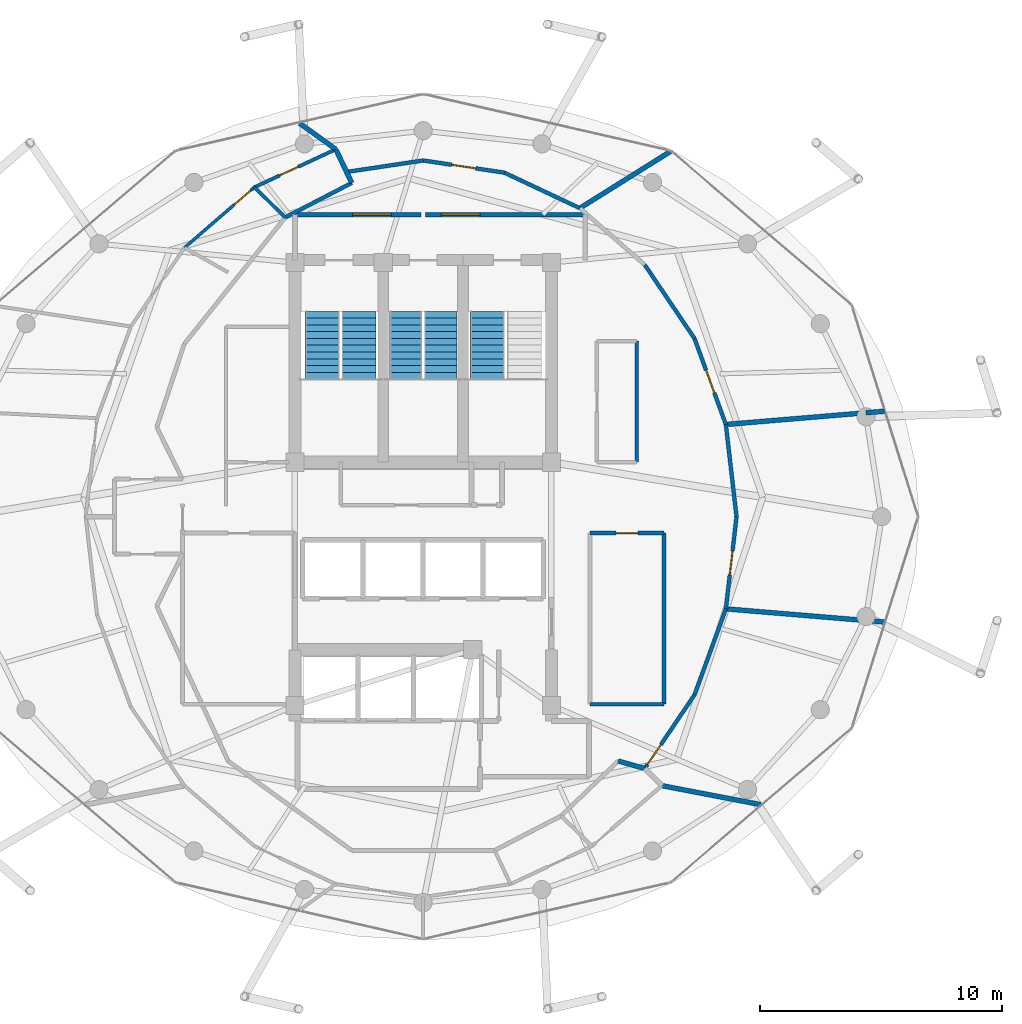
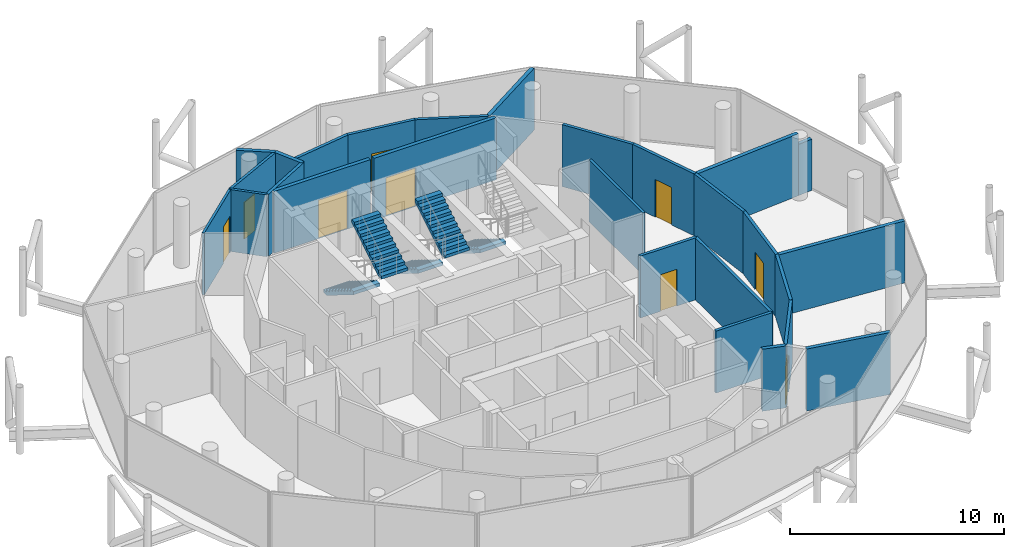
# One storey, part 22 of 24: 27 walls, 9 doors, 5 stair flights, 9 openings, 3 elements without a shape of their own.
"""IFC4 building model written with IfcOpenShell, lengths in metres."""

from ifc_helpers import new_model, si_unit, direction, frame, frame_2d, origin, place, context, subcontext, project, spatial, polyline, rectangle, outline, extrude, material, layer, layer_set, type_object, element, fill, aggregate, save


model = new_model("IFC4")

# Units and contexts
model_context = context("Model", 3, precision=1e-05, world=origin(), true_north=direction((0.0, 1.0)))
body_context = subcontext(model_context, "Body", "Model", "MODEL_VIEW")
ifc_project = project(units=[si_unit("LENGTHUNIT", "METRE"), si_unit("AREAUNIT", "SQUARE_METRE"), si_unit("VOLUMEUNIT", "CUBIC_METRE"), si_unit("PLANEANGLEUNIT", "RADIAN"), si_unit("MASSUNIT", "GRAM", prefix="KILO")], contexts=[model_context])

# Site, building, storey
site_placement = place(None, origin())
site = spatial("IfcSite", under=ifc_project, at=site_placement, CompositionType="ELEMENT")
building_placement = place(site_placement, origin())
building = spatial("IfcBuilding", under=site, at=building_placement, Name="Nuhasar Tower", CompositionType="ELEMENT")
storey_placement = place(building_placement, frame((0.0, 0.0, 282.199951171875)))
storey = spatial("IfcBuildingStorey", under=building, at=storey_placement, Name="L70", CompositionType="ELEMENT", Elevation=282.199951171875)

# Walls
ifc_material_1 = material(Name="Gypsum Board", Category="gypsum")
ifc_layer_1 = layer(ifc_material_1, 0.159912109375)
ifc_layer_set_1 = layer_set([ifc_layer_1], Name="Gypsum Board")
wall_type_1 = type_object("IfcWallType", Name="WL-CORR-160", PredefinedType="PARTITIONING", material=ifc_layer_set_1)
wall_1_placement = place(storey_placement, frame((45.89990234375, 19.050048828125, 0.0), z_axis=(0.0, 0.0, 1.0), x_axis=(1.0, 0.0, 0.0)))
element("IfcWall", 1, at=wall_1_placement, inside=storey, type_object=wall_type_1, Name="L70 Interior Partition RECL-B2-S", PredefinedType="PARTITIONING", context=body_context, shape_type="SweptSolid", body=[
    extrude(rectangle(XDim=3.050048828125, YDim=0.159912109375, at=frame_2d((1.52490234375, 0.0))), origin(), (0.0, 0.0, 1.0), 3.5400390625),
])
wall_2_placement = place(storey_placement, frame((48.949951171875, 19.050048828125, 0.0), z_axis=(0.0, 0.0, 1.0), x_axis=(0.0, 1.0, 0.0)))
element("IfcWall", 2, at=wall_2_placement, inside=storey, type_object=wall_type_1, Name="L70 Interior Partition RECL-B2-E", PredefinedType="PARTITIONING", context=body_context, shape_type="SweptSolid", body=[
    extrude(rectangle(XDim=7.070068359375, YDim=0.159912109375, at=frame_2d((3.53515625, 0.0))), origin(), (0.0, 0.0, 1.0), 3.5400390625),
])

# Wall, opening, door
wall_3_placement = place(storey_placement, frame((48.949951171875, 26.1201171875, 0.0), z_axis=(0.0, 0.0, 1.0), x_axis=(-1.0, 0.0, 0.0)))
wall_3 = element("IfcWall", 3, at=wall_3_placement, inside=storey, type_object=wall_type_1, Name="L70 Interior Partition RECL-B2-N", PredefinedType="PARTITIONING", context=body_context, shape_type="SweptSolid", body=[
    extrude(rectangle(XDim=3.050048828125, YDim=0.159912109375, at=frame_2d((1.52490234375, 0.0))), origin(), (0.0, 0.0, 1.0), 3.5400390625),
])
opening_1_placement = place(wall_3_placement, frame((1.074951171875, 0.0, 0.0)))
opening_1 = element("IfcOpeningElement", 4, at=opening_1_placement, cuts=wall_3, Name="Opening DR-01", PredefinedType="OPENING", context=body_context, shape_type="SweptSolid", body=[
    extrude(rectangle(XDim=0.89990234375, YDim=2.10009765625, at=frame_2d((0.449951171875, 1.050048828125))), frame((0.0, 0.08984375, 0.0), z_axis=(0.0, -1.0, 0.0), x_axis=(1.0, 0.0, 0.0)), (0.0, 0.0, 1.0), 0.179931640625),
])
ifc_material_2 = material(Name="Timber Oak", Category="wood")
door_type_1 = type_object("IfcDoorType", Name="DR-ROOM-900", OperationType="NOTDEFINED", PredefinedType="DOOR", material=ifc_material_2)
door_1_placement = place(opening_1_placement, origin())
door_1 = element("IfcDoor", 5, at=door_1_placement, inside=storey, type_object=door_type_1, Name="L70 Resident Library Door", OperationType="SINGLE_SWING_LEFT", OverallHeight=2.10009765625, OverallWidth=0.89990234375, PredefinedType="DOOR", context=body_context, shape_type="SweptSolid", body=[
    extrude(rectangle(XDim=0.89990234375, YDim=2.10009765625, at=frame_2d((0.449951171875, 1.050048828125))), frame((0.0, 0.02490234375, 0.0), z_axis=(0.0, -1.0, 0.0), x_axis=(1.0, 0.0, 0.0)), (0.0, 0.0, 1.0), 0.050048828125),
])
fill(opening_1, door_1)

wall_4_placement = place(storey_placement, frame((50.215087890625, 19.43994140625, 0.0), z_axis=(0.0, 0.0, 1.0), x_axis=(-0.559500212071, -0.828830207396, 0.0)))
wall_4 = element("IfcWall", 6, at=wall_4_placement, inside=storey, type_object=wall_type_1, Name="L70 Interior Partition CORR-42", PredefinedType="PARTITIONING", context=body_context, shape_type="SweptSolid", body=[
    extrude(rectangle(XDim=3.678466796875, YDim=0.159912109375, at=frame_2d((1.83935546875, 0.0))), origin(), (0.0, 0.0, 1.0), 3.5400390625),
])
opening_2_placement = place(wall_4_placement, frame((2.47900390625, 0.0, 0.0)))
opening_2 = element("IfcOpeningElement", 7, at=opening_2_placement, cuts=wall_4, Name="Opening DU-02", PredefinedType="OPENING", context=body_context, shape_type="SweptSolid", body=[
    extrude(rectangle(XDim=1.0, YDim=2.14990234375, at=frame_2d((0.5, 1.074951171875))), frame((0.0, 0.08984375, 0.0), z_axis=(0.0, -1.0, 0.0), x_axis=(1.0, 0.0, 0.0)), (0.0, 0.0, 1.0), 0.179931640625),
])
door_type_2 = type_object("IfcDoorType", Name="DR-FLAT-FD60-1000", OperationType="NOTDEFINED", PredefinedType="DOOR", material=ifc_material_2)
door_2_placement = place(opening_2_placement, origin())
door_2 = element("IfcDoor", 8, at=door_2_placement, inside=storey, type_object=door_type_2, Name="L70 Summit Sommelier Tasting Pantry Entrance Door", OperationType="SINGLE_SWING_RIGHT", OverallHeight=2.14990234375, OverallWidth=1.0, PredefinedType="DOOR", context=body_context, shape_type="SweptSolid", body=[
    extrude(rectangle(XDim=1.0, YDim=2.14990234375, at=frame_2d((0.5, 1.074951171875))), frame((0.0, 0.02490234375, 0.0), z_axis=(0.0, -1.0, 0.0), x_axis=(1.0, 0.0, 0.0)), (0.0, 0.0, 1.0), 0.050048828125),
])
fill(opening_2, door_2)

# Wall
wall_5_placement = place(storey_placement, frame((50.215087890625, 19.43994140625, 0.0), z_axis=(0.0, 0.0, 1.0), x_axis=(0.342448521092, 0.939536593434, 0.0)))
element("IfcWall", 9, at=wall_5_placement, inside=storey, type_object=wall_type_1, Name="L70 Interior Partition CORR-44", PredefinedType="PARTITIONING", context=body_context, shape_type="SweptSolid", body=[
    extrude(rectangle(XDim=3.778564453125, YDim=0.159912109375, at=frame_2d((1.88916015625, 0.0))), origin(), (0.0, 0.0, 1.0), 3.5400390625),
])

# Wall, opening, door
wall_6_placement = place(storey_placement, frame((51.949951171875, 26.800048828125, 0.0), z_axis=(0.0, 0.0, 1.0), x_axis=(-0.114957513723, -0.993370409283, 0.0)))
wall_6 = element("IfcWall", 10, at=wall_6_placement, inside=storey, type_object=wall_type_1, Name="L70 Interior Partition CORR-46", PredefinedType="PARTITIONING", context=body_context, shape_type="SweptSolid", body=[
    extrude(rectangle(XDim=3.83544921875, YDim=0.159912109375, at=frame_2d((1.917724609375, 0.0))), origin(), (0.0, 0.0, 1.0), 3.5400390625),
])
opening_3_placement = place(wall_6_placement, frame((1.41796875, 0.0, 0.0)))
opening_3 = element("IfcOpeningElement", 11, at=opening_3_placement, cuts=wall_6, Name="Opening DU-02", PredefinedType="OPENING", context=body_context, shape_type="SweptSolid", body=[
    extrude(rectangle(XDim=1.0, YDim=2.14990234375, at=frame_2d((0.5, 1.074951171875))), frame((0.0, 0.08984375, 0.0), z_axis=(0.0, -1.0, 0.0), x_axis=(1.0, 0.0, 0.0)), (0.0, 0.0, 1.0), 0.179931640625),
])
door_3_placement = place(opening_3_placement, origin())
door_3 = element("IfcDoor", 12, at=door_3_placement, inside=storey, type_object=door_type_2, Name="L70 Summit Private Chef Pantry Entrance Door", OperationType="SINGLE_SWING_RIGHT", OverallHeight=2.14990234375, OverallWidth=1.0, PredefinedType="DOOR", context=body_context, shape_type="SweptSolid", body=[
    extrude(rectangle(XDim=1.0, YDim=2.14990234375, at=frame_2d((0.5, 1.074951171875))), frame((0.0, 0.02490234375, 0.0), z_axis=(0.0, -1.0, 0.0), x_axis=(1.0, 0.0, 0.0)), (0.0, 0.0, 1.0), 0.050048828125),
])
fill(opening_3, door_3)

# Wall
wall_7_placement = place(storey_placement, frame((51.949951171875, 26.800048828125, 0.0), z_axis=(0.0, 0.0, 1.0), x_axis=(-0.114957513723, 0.993370409283, 0.0)))
element("IfcWall", 13, at=wall_7_placement, inside=storey, type_object=wall_type_1, Name="L70 Interior Partition CORR-00", PredefinedType="PARTITIONING", context=body_context, shape_type="SweptSolid", body=[
    extrude(rectangle(XDim=3.83544921875, YDim=0.159912109375, at=frame_2d((1.917724609375, 0.0))), origin(), (0.0, 0.0, 1.0), 3.5400390625),
])

# Wall, opening, door
wall_8_placement = place(storey_placement, frame((50.215087890625, 34.159912109375, 0.0), z_axis=(0.0, 0.0, 1.0), x_axis=(0.342469311022, -0.939529015522, 0.0)))
wall_8 = element("IfcWall", 14, at=wall_8_placement, inside=storey, type_object=wall_type_1, Name="L70 Interior Partition CORR-02", PredefinedType="PARTITIONING", context=body_context, shape_type="SweptSolid", body=[
    extrude(rectangle(XDim=3.7783203125, YDim=0.159912109375, at=frame_2d((1.88916015625, 0.0))), origin(), (0.0, 0.0, 1.0), 3.5400390625),
])
opening_4_placement = place(wall_8_placement, frame((1.388916015625, 0.0, 0.0)))
opening_4 = element("IfcOpeningElement", 15, at=opening_4_placement, cuts=wall_8, Name="Opening DU-02", PredefinedType="OPENING", context=body_context, shape_type="SweptSolid", body=[
    extrude(rectangle(XDim=1.0, YDim=2.14990234375, at=frame_2d((0.5, 1.074951171875))), frame((0.0, 0.08984375, 0.0), z_axis=(0.0, -1.0, 0.0), x_axis=(1.0, 0.0, 0.0)), (0.0, 0.0, 1.0), 0.179931640625),
])
door_4_placement = place(opening_4_placement, origin())
door_4 = element("IfcDoor", 16, at=door_4_placement, inside=storey, type_object=door_type_2, Name="L70 Summit Music Recital Room Entrance Door", OperationType="SINGLE_SWING_RIGHT", OverallHeight=2.14990234375, OverallWidth=1.0, PredefinedType="DOOR", context=body_context, shape_type="SweptSolid", body=[
    extrude(rectangle(XDim=1.0, YDim=2.14990234375, at=frame_2d((0.5, 1.074951171875))), frame((0.0, 0.02490234375, 0.0), z_axis=(0.0, -1.0, 0.0), x_axis=(1.0, 0.0, 0.0)), (0.0, 0.0, 1.0), 0.050048828125),
])
fill(opening_4, door_4)

# Walls
wall_9_placement = place(storey_placement, frame((50.215087890625, 34.159912109375, 0.0), z_axis=(0.0, 0.0, 1.0), x_axis=(-0.559469435513, 0.82885098222, 0.0)))
element("IfcWall", 17, at=wall_9_placement, inside=storey, type_object=wall_type_1, Name="L70 Interior Partition CORR-04", PredefinedType="PARTITIONING", context=body_context, shape_type="SweptSolid", body=[
    extrude(rectangle(XDim=3.6787109375, YDim=0.159912109375, at=frame_2d((1.83935546875, 0.0))), origin(), (0.0, 0.0, 1.0), 3.5400390625),
])
wall_10_placement = place(storey_placement, frame((45.47509765625, 39.548095703125, 0.0), z_axis=(0.0, 0.0, 1.0), x_axis=(-0.904785037248, 0.425868567016, 0.0)))
element("IfcWall", 18, at=wall_10_placement, inside=storey, type_object=wall_type_1, Name="L70 Interior Partition CORR-08", PredefinedType="PARTITIONING", context=body_context, shape_type="SweptSolid", body=[
    extrude(rectangle(XDim=3.45166015625, YDim=0.159912109375, at=frame_2d((1.725830078125, 0.0))), origin(), (0.0, 0.0, 1.0), 3.5400390625),
])

# Wall, opening, door
wall_11_placement = place(storey_placement, frame((39.0, 41.52001953125, 0.0), z_axis=(0.0, 0.0, 1.0), x_axis=(0.988973305804, -0.148093890512, 0.0)))
wall_11 = element("IfcWall", 19, at=wall_11_placement, inside=storey, type_object=wall_type_1, Name="L70 Interior Partition CORR-10", PredefinedType="PARTITIONING", context=body_context, shape_type="SweptSolid", body=[
    extrude(rectangle(XDim=3.389404296875, YDim=0.159912109375, at=frame_2d((1.69482421875, 0.0))), origin(), (0.0, 0.0, 1.0), 3.5400390625),
])
opening_5_placement = place(wall_11_placement, frame((1.195068359375, 0.0, 0.0)))
opening_5 = element("IfcOpeningElement", 20, at=opening_5_placement, cuts=wall_11, Name="Opening DU-02", PredefinedType="OPENING", context=body_context, shape_type="SweptSolid", body=[
    extrude(rectangle(XDim=1.0, YDim=2.14990234375, at=frame_2d((0.5, 1.074951171875))), frame((0.0, 0.08984375, 0.0), z_axis=(0.0, -1.0, 0.0), x_axis=(1.0, 0.0, 0.0)), (0.0, 0.0, 1.0), 0.179931640625),
])
door_5_placement = place(opening_5_placement, origin())
door_5 = element("IfcDoor", 21, at=door_5_placement, inside=storey, type_object=door_type_2, Name="L70 Summit Private Cinema Room Entrance Door", OperationType="SINGLE_SWING_RIGHT", OverallHeight=2.14990234375, OverallWidth=1.0, PredefinedType="DOOR", context=body_context, shape_type="SweptSolid", body=[
    extrude(rectangle(XDim=1.0, YDim=2.14990234375, at=frame_2d((0.5, 1.074951171875))), frame((0.0, 0.02490234375, 0.0), z_axis=(0.0, -1.0, 0.0), x_axis=(1.0, 0.0, 0.0)), (0.0, 0.0, 1.0), 0.050048828125),
])
fill(opening_5, door_5)

# Walls
wall_12_placement = place(storey_placement, frame((39.0, 41.52001953125, 0.0), z_axis=(0.0, 0.0, 1.0), x_axis=(-0.988972124558, -0.148101778678, 0.0)))
element("IfcWall", 22, at=wall_12_placement, inside=storey, type_object=wall_type_1, Name="L70 Interior Partition CORR-12", PredefinedType="PARTITIONING", context=body_context, shape_type="SweptSolid", body=[
    extrude(rectangle(XDim=3.201416015625, YDim=0.159912109375, at=frame_2d((1.6005859375, 0.0))), origin(), (0.0, 0.0, 1.0), 3.5400390625),
])
wall_13_placement = place(storey_placement, frame((36.049072265625, 40.593017578125, 0.0), z_axis=(0.0, 0.0, 1.0), x_axis=(-0.887674575788, -0.460471331898, 0.0)))
element("IfcWall", 23, at=wall_13_placement, inside=storey, type_object=wall_type_1, Name="L70 Interior Partition UWEST-CORE-N1-14", PredefinedType="PARTITIONING", context=body_context, shape_type="SweptSolid", body=[
    extrude(rectangle(XDim=3.096923828125, YDim=0.159912109375, at=frame_2d((1.54833984375, 0.0))), origin(), (0.0, 0.0, 1.0), 3.5400390625),
])

# Wall, opening, door
ifc_material_3 = material(Name="Concrete C45/55", Category="concrete")
ifc_layer_2 = layer(ifc_material_3, 0.199951171875)
ifc_layer_set_2 = layer_set([ifc_layer_2], Name="Concrete C45/55")
wall_type_2 = type_object("IfcWallType", Name="WL-LOBBY-200", PredefinedType="SOLIDWALL", material=ifc_layer_set_2)
wall_14_placement = place(storey_placement, frame((38.89990234375, 39.280029296875, 0.0), z_axis=(0.0, 0.0, 1.0), x_axis=(-1.0, 0.0, 0.0)))
wall_14 = element("IfcWall", 24, at=wall_14_placement, inside=storey, type_object=wall_type_2, Name="L70 Interior Partition NSL-N1", PredefinedType="SOLIDWALL", context=body_context, shape_type="SweptSolid", body=[
    extrude(rectangle(XDim=5.199951171875, YDim=0.199951171875, at=frame_2d((2.60009765625, 0.0))), origin(), (0.0, 0.0, 1.0), 3.5400390625),
])
opening_6_placement = place(wall_14_placement, frame((1.216064453125, 0.0, 0.0)))
opening_6 = element("IfcOpeningElement", 25, at=opening_6_placement, cuts=wall_14, Name="Opening DC-01", PredefinedType="OPENING", context=body_context, shape_type="SweptSolid", body=[
    extrude(rectangle(XDim=1.60009765625, YDim=2.199951171875, at=frame_2d((0.800048828125, 1.10009765625))), frame((0.0, 0.10986328125, 0.0), z_axis=(0.0, -1.0, 0.0), x_axis=(1.0, 0.0, 0.0)), (0.0, 0.0, 1.0), 0.219970703125),
])
ifc_material_4 = material(Name="Steel S355", Category="steel")
door_type_3 = type_object("IfcDoorType", Name="DR-CORR-FD60-1600", OperationType="DOUBLE_DOOR_SINGLE_SWING", PredefinedType="DOOR", material=ifc_material_4)
door_6_placement = place(opening_6_placement, origin())
door_6 = element("IfcDoor", 26, at=door_6_placement, inside=storey, type_object=door_type_3, Name="L70 North Stair Lobby West Door", OperationType="DOUBLE_DOOR_SINGLE_SWING", OverallHeight=2.199951171875, OverallWidth=1.60009765625, PredefinedType="DOOR", context=body_context, shape_type="SweptSolid", body=[
    extrude(rectangle(XDim=1.60009765625, YDim=2.199951171875, at=frame_2d((0.800048828125, 1.10009765625))), frame((0.0, 0.02490234375, 0.0), z_axis=(0.0, -1.0, 0.0), x_axis=(1.0, 0.0, 0.0)), (0.0, 0.0, 1.0), 0.050048828125),
])
fill(opening_6, door_6)

wall_15_placement = place(storey_placement, frame((45.699951171875, 39.280029296875, 0.0), z_axis=(0.0, 0.0, 1.0), x_axis=(-1.0, 0.0, 0.0)))
wall_15 = element("IfcWall", 27, at=wall_15_placement, inside=storey, type_object=wall_type_2, Name="L70 Interior Partition NSL-N2", PredefinedType="SOLIDWALL", context=body_context, shape_type="SweptSolid", body=[
    extrude(rectangle(XDim=6.599853515625, YDim=0.199951171875, at=frame_2d((3.2998046875, 0.0))), origin(), (0.0, 0.0, 1.0), 3.5400390625),
])
opening_7_placement = place(wall_15_placement, frame((4.35009765625, 0.0, 0.0)))
opening_7 = element("IfcOpeningElement", 28, at=opening_7_placement, cuts=wall_15, Name="Opening DC-01", PredefinedType="OPENING", context=body_context, shape_type="SweptSolid", body=[
    extrude(rectangle(XDim=1.60009765625, YDim=2.199951171875, at=frame_2d((0.800048828125, 1.10009765625))), frame((0.0, 0.10986328125, 0.0), z_axis=(0.0, -1.0, 0.0), x_axis=(1.0, 0.0, 0.0)), (0.0, 0.0, 1.0), 0.219970703125),
])
door_7_placement = place(opening_7_placement, origin())
door_7 = element("IfcDoor", 29, at=door_7_placement, inside=storey, type_object=door_type_3, Name="L70 North Stair Lobby East Door", OperationType="DOUBLE_DOOR_SINGLE_SWING", OverallHeight=2.199951171875, OverallWidth=1.60009765625, PredefinedType="DOOR", context=body_context, shape_type="SweptSolid", body=[
    extrude(rectangle(XDim=1.60009765625, YDim=2.199951171875, at=frame_2d((0.800048828125, 1.10009765625))), frame((0.0, 0.02490234375, 0.0), z_axis=(0.0, -1.0, 0.0), x_axis=(1.0, 0.0, 0.0)), (0.0, 0.0, 1.0), 0.050048828125),
])
fill(opening_7, door_7)

ifc_layer_3 = layer(ifc_material_1, 0.125)
ifc_layer_set_3 = layer_set([ifc_layer_3], Name="Gypsum Board")
wall_type_3 = type_object("IfcWallType", Name="WL-PART-125", PredefinedType="PARTITIONING", material=ifc_layer_set_3)
wall_16_placement = place(storey_placement, frame((29.135986328125, 37.916015625, 0.0), z_axis=(0.0, 0.0, 1.0), x_axis=(0.756424716633, 0.654080765706, 0.0)))
wall_16 = element("IfcWall", 30, at=wall_16_placement, inside=storey, type_object=wall_type_3, Name="L70 Interior Partition USM-1-K-16", PredefinedType="PARTITIONING", context=body_context, shape_type="SweptSolid", body=[
    extrude(rectangle(XDim=3.819091796875, YDim=0.125, at=frame_2d((1.90966796875, 0.0))), origin(), (0.0, 0.0, 1.0), 3.5400390625),
])
opening_8_placement = place(wall_16_placement, frame((2.718994140625, 0.0, 0.0)))
opening_8 = element("IfcOpeningElement", 31, at=opening_8_placement, cuts=wall_16, Name="Opening DR-01", PredefinedType="OPENING", context=body_context, shape_type="SweptSolid", body=[
    extrude(rectangle(XDim=0.89990234375, YDim=2.10009765625, at=frame_2d((0.449951171875, 1.050048828125))), frame((0.0, 0.072509765625, 0.0), z_axis=(0.0, -1.0, 0.0), x_axis=(1.0, 0.0, 0.0)), (0.0, 0.0, 1.0), 0.14501953125),
])
door_8_placement = place(opening_8_placement, origin())
door_8 = element("IfcDoor", 32, at=door_8_placement, inside=storey, type_object=door_type_1, Name="L70 North-West Sky Home Kitchen Door", OperationType="SINGLE_SWING_RIGHT", OverallHeight=2.10009765625, OverallWidth=0.89990234375, PredefinedType="DOOR", context=body_context, shape_type="SweptSolid", body=[
    extrude(rectangle(XDim=0.89990234375, YDim=2.10009765625, at=frame_2d((0.449951171875, 1.050048828125))), frame((0.0, 0.02490234375, 0.0), z_axis=(0.0, -1.0, 0.0), x_axis=(1.0, 0.0, 0.0)), (0.0, 0.0, 1.0), 0.050048828125),
])
fill(opening_8, door_8)

# Walls
ifc_material_5 = material(Name="Concrete C40/50 precast", Category="concrete")
ifc_layer_4 = layer(ifc_material_5, 0.199951171875)
ifc_layer_set_4 = layer_set([ifc_layer_4], Name="Concrete C40/50 precast")
wall_type_4 = type_object("IfcWallType", Name="WL-UNIT-200", PredefinedType="PARTITIONING", material=ifc_layer_set_4)
wall_17_placement = place(storey_placement, frame((36.049072265625, 40.593017578125, 0.0), z_axis=(0.0, 0.0, 1.0), x_axis=(-0.428788325004, 0.903404987998, 0.0)))
element("IfcWall", 33, at=wall_17_placement, inside=storey, type_object=wall_type_4, Name="L70 Interior Partition URAD-14-NW-S1", PredefinedType="PARTITIONING", context=body_context, shape_type="SweptSolid", body=[
    extrude(rectangle(XDim=1.53955078125, YDim=0.199951171875, at=frame_2d((0.769775390625, 0.0))), origin(), (0.0, 0.0, 1.0), 3.5400390625),
])
wall_18_placement = place(storey_placement, frame((35.388916015625, 41.98388671875, 0.0), z_axis=(0.0, 0.0, 1.0), x_axis=(-0.812072329423, 0.583556793967, 0.0)))
element("IfcWall", 34, at=wall_18_placement, inside=storey, type_object=wall_type_4, Name="L70 Interior Partition URAD-14-NW-S2", PredefinedType="PARTITIONING", context=body_context, shape_type="SweptSolid", body=[
    extrude(rectangle(XDim=1.8408203125, YDim=0.199951171875, at=frame_2d((0.92041015625, 0.0))), origin(), (0.0, 0.0, 1.0), 3.5400390625),
])
wall_19_placement = place(storey_placement, frame((47.06103515625, 16.702880859375, 0.0), z_axis=(0.0, 0.0, 1.0), x_axis=(0.961838648626, -0.273617276519, 0.0)))
element("IfcWall", 35, at=wall_19_placement, inside=storey, type_object=wall_type_4, Name="L70 Interior Partition URAD-42-SW-S1", PredefinedType="PARTITIONING", context=body_context, shape_type="SweptSolid", body=[
    extrude(rectangle(XDim=1.139404296875, YDim=0.199951171875, at=frame_2d((0.56982421875, 0.0))), origin(), (0.0, 0.0, 1.0), 3.5400390625),
])
wall_20_placement = place(storey_placement, frame((48.864013671875, 15.68408203125, 0.0), z_axis=(0.0, 0.0, 1.0), x_axis=(0.982041578383, -0.188664618643, 0.0)))
element("IfcWall", 36, at=wall_20_placement, inside=storey, type_object=wall_type_4, Name="L70 Interior Partition URAD-42-SW-S3", PredefinedType="PARTITIONING", context=body_context, shape_type="SweptSolid", body=[
    extrude(rectangle(XDim=4.16162109375, YDim=0.199951171875, at=frame_2d((2.080810546875, 0.0))), origin(), (0.0, 0.0, 1.0), 3.5400390625),
])
wall_21_placement = place(storey_placement, frame((51.509033203125, 22.989990234375, 0.0), z_axis=(0.0, 0.0, 1.0), x_axis=(0.996542682524, -0.083082380243, 0.0)))
element("IfcWall", 37, at=wall_21_placement, inside=storey, type_object=wall_type_4, Name="L70 Interior Partition URAD-46", PredefinedType="PARTITIONING", context=body_context, shape_type="SweptSolid", body=[
    extrude(rectangle(XDim=6.570556640625, YDim=0.199951171875, at=frame_2d((3.28515625, 0.0))), origin(), (0.0, 0.0, 1.0), 3.5400390625),
])
wall_22_placement = place(storey_placement, frame((51.509033203125, 30.610107421875, 0.0), z_axis=(0.0, 0.0, 1.0), x_axis=(0.996533856129, 0.083188181786, 0.0)))
element("IfcWall", 38, at=wall_22_placement, inside=storey, type_object=wall_type_4, Name="L70 Interior Partition URAD-02", PredefinedType="PARTITIONING", context=body_context, shape_type="SweptSolid", body=[
    extrude(rectangle(XDim=5.804931640625, YDim=0.199951171875, at=frame_2d((2.90234375, 0.0))), origin(), (0.0, 0.0, 1.0), 3.5400390625),
])
wall_23_placement = place(storey_placement, frame((57.2939453125, 31.093017578125, 0.0), z_axis=(0.0, 0.0, 1.0), x_axis=(0.996503847664, 0.083546882588, 0.0)))
element("IfcWall", 39, at=wall_23_placement, inside=storey, type_object=wall_type_4, Name="L70 Interior Partition URAD-02", PredefinedType="PARTITIONING", context=body_context, shape_type="SweptSolid", body=[
    extrude(rectangle(XDim=0.765625, YDim=0.199951171875, at=frame_2d((0.3828125, 0.0))), origin(), (0.0, 0.0, 1.0), 2.925048828125),
])
wall_24_placement = place(storey_placement, frame((45.47509765625, 39.548095703125, 0.0), z_axis=(0.0, 0.0, 1.0), x_axis=(0.847419415202, 0.530924038577, 0.0)))
element("IfcWall", 40, at=wall_24_placement, inside=storey, type_object=wall_type_4, Name="L70 Interior Partition URAD-08", PredefinedType="PARTITIONING", context=body_context, shape_type="SweptSolid", body=[
    extrude(rectangle(XDim=4.410888671875, YDim=0.199951171875, at=frame_2d((2.20556640625, 0.0))), origin(), (0.0, 0.0, 1.0), 3.5400390625),
])
ifc_layer_5 = layer(ifc_material_5, 0.139892578125)
ifc_layer_set_5 = layer_set([ifc_layer_5], Name="Concrete C40/50 precast")
wall_type_5 = type_object("IfcWallType", Name="WL-WET-140", PredefinedType="PARTITIONING", material=ifc_layer_set_5)
wall_25_placement = place(storey_placement, frame((47.820068359375, 29.050048828125, 0.0), z_axis=(0.0, 0.0, 1.0), x_axis=(0.0, 1.0, 0.0)))
element("IfcWall", 41, at=wall_25_placement, inside=storey, type_object=wall_type_5, Name="L70 Interior Partition K3-NE-E", PredefinedType="PARTITIONING", context=body_context, shape_type="SweptSolid", body=[
    extrude(rectangle(XDim=5.0, YDim=0.139892578125, at=frame_2d((2.5, 0.0))), origin(), (0.0, 0.0, 1.0), 3.5400390625),
])
wall_26_placement = place(storey_placement, frame((33.300048828125, 39.1669921875, 0.0), z_axis=(0.0, 0.0, 1.0), x_axis=(-0.714933679917, 0.699192272069, 0.0)))
element("IfcWall", 42, at=wall_26_placement, inside=storey, type_object=wall_type_5, Name="L70 Interior Partition USI-1-BK", PredefinedType="PARTITIONING", context=body_context, shape_type="SweptSolid", body=[
    extrude(rectangle(XDim=1.78369140625, YDim=0.139892578125, at=frame_2d((0.891845703125, 0.0))), origin(), (0.0, 0.0, 1.0), 3.5400390625),
])

# Wall, opening, door
wall_27_placement = place(storey_placement, frame((32.02490234375, 40.4140625, 0.0), z_axis=(0.0, 0.0, 1.0), x_axis=(0.906188180382, 0.422874664334, 0.0)))
wall_27 = element("IfcWall", 43, at=wall_27_placement, inside=storey, type_object=wall_type_5, Name="L70 Interior Partition USM-1-B-14", PredefinedType="PARTITIONING", context=body_context, shape_type="SweptSolid", body=[
    extrude(rectangle(XDim=3.712158203125, YDim=0.139892578125, at=frame_2d((1.85595703125, 0.0))), origin(), (0.0, 0.0, 1.0), 3.5400390625),
])
opening_9_placement = place(wall_27_placement, frame((1.154052734375, 0.0, 0.0)))
opening_9 = element("IfcOpeningElement", 44, at=opening_9_placement, cuts=wall_27, Name="Opening DB-01", PredefinedType="OPENING", context=body_context, shape_type="SweptSolid", body=[
    extrude(rectangle(XDim=0.85009765625, YDim=2.10009765625, at=frame_2d((0.425048828125, 1.050048828125))), frame((0.0, 0.080078125, 0.0), z_axis=(0.0, -1.0, 0.0), x_axis=(1.0, 0.0, 0.0)), (0.0, 0.0, 1.0), 0.159912109375),
])
door_type_4 = type_object("IfcDoorType", Name="DR-BATH-850", OperationType="NOTDEFINED", PredefinedType="DOOR", material=ifc_material_2)
door_9_placement = place(opening_9_placement, origin())
door_9 = element("IfcDoor", 45, at=door_9_placement, inside=storey, type_object=door_type_4, Name="L70 North-West Sky Home En-Suite Door", OperationType="SINGLE_SWING_LEFT", OverallHeight=2.10009765625, OverallWidth=0.85009765625, PredefinedType="DOOR", context=body_context, shape_type="SweptSolid", body=[
    extrude(rectangle(XDim=0.85009765625, YDim=2.10009765625, at=frame_2d((0.425048828125, 1.050048828125))), frame((0.0, 0.02490234375, 0.0), z_axis=(0.0, -1.0, 0.0), x_axis=(1.0, 0.0, 0.0)), (0.0, 0.0, 1.0), 0.050048828125),
])
fill(opening_9, door_9)

# Stair, stair flights
stair_type_1 = type_object("IfcStairType", Name="STR-ST-01-2F-22R-1727", PredefinedType="HALF_TURN_STAIR", material=ifc_material_3)
stair_1_placement = place(storey_placement, origin())
stair_1 = element("IfcStair", 46, at=stair_1_placement, inside=storey, type_object=stair_type_1, Name="L70 Exit Stair ST-01", PredefinedType="HALF_TURN_STAIR")
stair_flight_type_1 = type_object("IfcStairFlightType", Name="SFL-ST-01-11R-1727", PredefinedType="STRAIGHT", material=ifc_material_3)
stair_flight_1_placement = place(storey_placement, frame((34.830078125, 35.284912109375, 0.0), z_axis=(0.0, 0.0, 1.0), x_axis=(0.0, -1.0, 0.0)))
stair_flight_1 = element("IfcStairFlight", 47, at=stair_flight_1_placement, type_object=stair_flight_type_1, Name="ST-01 flight 1", NumberOfRisers=11, NumberOfTreads=10, PredefinedType="STRAIGHT", RiserHeight=0.172727, TreadLength=0.28, context=body_context, shape_type="SweptSolid", body=[
    extrude(outline(polyline([(0.0, 0.0), (0.0, 0.172607421875), (0.280029296875, 0.172607421875), (0.280029296875, 0.345458984375), (0.56005859375, 0.345458984375), (0.56005859375, 0.51806640625), (0.840087890625, 0.51806640625), (0.840087890625, 0.69091796875), (1.1201171875, 0.69091796875), (1.1201171875, 0.863525390625), (1.39990234375, 0.863525390625), (1.39990234375, 1.036376953125), (1.679931640625, 1.036376953125), (1.679931640625, 1.208984375), (1.9599609375, 1.208984375), (1.9599609375, 1.3818359375), (2.239990234375, 1.3818359375), (2.239990234375, 1.554443359375), (2.52001953125, 1.554443359375), (2.52001953125, 1.727294921875), (2.800048828125, 1.727294921875), (2.800048828125, 1.89990234375), (2.800048828125, 1.539306640625), (0.3046875, 0.0), (0.0, 0.0)])), frame((0.0, 0.7099609375, 0.0), z_axis=(0.0, -1.0, 0.0), x_axis=(1.0, 0.0, 0.0)), (0.0, 0.0, 1.0), 1.419921875),
])
stair_flight_2_placement = place(storey_placement, frame((36.35009765625, 32.485107421875, 1.900146484375), z_axis=(0.0, 0.0, 1.0), x_axis=(0.0, 1.0, 0.0)))
stair_flight_2 = element("IfcStairFlight", 48, at=stair_flight_2_placement, type_object=stair_flight_type_1, Name="ST-01 flight 2", NumberOfRisers=11, NumberOfTreads=10, PredefinedType="STRAIGHT", RiserHeight=0.172727, TreadLength=0.28, context=body_context, shape_type="SweptSolid", body=[
    extrude(outline(polyline([(0.0, 0.0), (0.0, 0.172607421875), (0.280029296875, 0.172607421875), (0.280029296875, 0.345458984375), (0.56005859375, 0.345458984375), (0.56005859375, 0.51806640625), (0.840087890625, 0.51806640625), (0.840087890625, 0.69091796875), (1.1201171875, 0.69091796875), (1.1201171875, 0.863525390625), (1.39990234375, 0.863525390625), (1.39990234375, 1.036376953125), (1.679931640625, 1.036376953125), (1.679931640625, 1.208984375), (1.9599609375, 1.208984375), (1.9599609375, 1.3818359375), (2.239990234375, 1.3818359375), (2.239990234375, 1.554443359375), (2.52001953125, 1.554443359375), (2.52001953125, 1.727294921875), (2.800048828125, 1.727294921875), (2.800048828125, 1.89990234375), (2.800048828125, 1.539306640625), (0.3046875, 0.0), (0.0, 0.0)])), frame((0.0, 0.7099609375, 0.0), z_axis=(0.0, -1.0, 0.0), x_axis=(1.0, 0.0, 0.0)), (0.0, 0.0, 1.0), 1.419921875),
])
aggregate(stair_1, [stair_flight_1, stair_flight_2])

# Stair, stair flight
stair_type_2 = type_object("IfcStairType", Name="STR-ST-02-2F-22R-1727", PredefinedType="HALF_TURN_STAIR", material=ifc_material_3)
stair_2_placement = place(storey_placement, origin())
stair_2 = element("IfcStair", 49, at=stair_2_placement, inside=storey, type_object=stair_type_2, Name="L70 Exit Stair ST-02", PredefinedType="HALF_TURN_STAIR")
stair_flight_type_2 = type_object("IfcStairFlightType", Name="SFL-ST-02-11R-1727", PredefinedType="STRAIGHT", material=ifc_material_3)
stair_flight_3_placement = place(storey_placement, frame((41.64990234375, 35.284912109375, 0.0), z_axis=(0.0, 0.0, 1.0), x_axis=(0.0, -1.0, 0.0)))
stair_flight_3 = element("IfcStairFlight", 50, at=stair_flight_3_placement, type_object=stair_flight_type_2, Name="ST-02 flight 1", NumberOfRisers=11, NumberOfTreads=10, PredefinedType="STRAIGHT", RiserHeight=0.172727, TreadLength=0.28, context=body_context, shape_type="SweptSolid", body=[
    extrude(outline(polyline([(0.0, 0.0), (0.0, 0.172607421875), (0.280029296875, 0.172607421875), (0.280029296875, 0.345458984375), (0.56005859375, 0.345458984375), (0.56005859375, 0.51806640625), (0.840087890625, 0.51806640625), (0.840087890625, 0.69091796875), (1.1201171875, 0.69091796875), (1.1201171875, 0.863525390625), (1.39990234375, 0.863525390625), (1.39990234375, 1.036376953125), (1.679931640625, 1.036376953125), (1.679931640625, 1.208984375), (1.9599609375, 1.208984375), (1.9599609375, 1.3818359375), (2.239990234375, 1.3818359375), (2.239990234375, 1.554443359375), (2.52001953125, 1.554443359375), (2.52001953125, 1.727294921875), (2.800048828125, 1.727294921875), (2.800048828125, 1.89990234375), (2.800048828125, 1.539306640625), (0.3046875, 0.0), (0.0, 0.0)])), frame((0.0, 0.7099609375, 0.0), z_axis=(0.0, -1.0, 0.0), x_axis=(1.0, 0.0, 0.0)), (0.0, 0.0, 1.0), 1.419921875),
])
aggregate(stair_2, [stair_flight_3])

# Stair, stair flights
stair_type_3 = type_object("IfcStairType", Name="STR-ST-03-2F-22R-1727", PredefinedType="HALF_TURN_STAIR", material=ifc_material_3)
stair_3_placement = place(storey_placement, origin())
stair_3 = element("IfcStair", 51, at=stair_3_placement, inside=storey, type_object=stair_type_3, Name="L70 Exit Stair ST-03", PredefinedType="HALF_TURN_STAIR")
stair_flight_type_3 = type_object("IfcStairFlightType", Name="SFL-ST-03-11R-1727", PredefinedType="STRAIGHT", material=ifc_material_3)
stair_flight_4_placement = place(storey_placement, frame((38.280029296875, 35.284912109375, 0.0), z_axis=(0.0, 0.0, 1.0), x_axis=(0.0, -1.0, 0.0)))
stair_flight_4 = element("IfcStairFlight", 52, at=stair_flight_4_placement, type_object=stair_flight_type_3, Name="ST-03 flight 1", NumberOfRisers=11, NumberOfTreads=10, PredefinedType="STRAIGHT", RiserHeight=0.172727, TreadLength=0.28, context=body_context, shape_type="SweptSolid", body=[
    extrude(outline(polyline([(0.0, 0.0), (0.0, 0.172607421875), (0.280029296875, 0.172607421875), (0.280029296875, 0.345458984375), (0.56005859375, 0.345458984375), (0.56005859375, 0.51806640625), (0.840087890625, 0.51806640625), (0.840087890625, 0.69091796875), (1.1201171875, 0.69091796875), (1.1201171875, 0.863525390625), (1.39990234375, 0.863525390625), (1.39990234375, 1.036376953125), (1.679931640625, 1.036376953125), (1.679931640625, 1.208984375), (1.9599609375, 1.208984375), (1.9599609375, 1.3818359375), (2.239990234375, 1.3818359375), (2.239990234375, 1.554443359375), (2.52001953125, 1.554443359375), (2.52001953125, 1.727294921875), (2.800048828125, 1.727294921875), (2.800048828125, 1.89990234375), (2.800048828125, 1.539306640625), (0.3046875, 0.0), (0.0, 0.0)])), frame((0.0, 0.669921875, 0.0), z_axis=(0.0, -1.0, 0.0), x_axis=(1.0, 0.0, 0.0)), (0.0, 0.0, 1.0), 1.340087890625),
])
stair_flight_5_placement = place(storey_placement, frame((39.719970703125, 32.485107421875, 1.900146484375), z_axis=(0.0, 0.0, 1.0), x_axis=(0.0, 1.0, 0.0)))
stair_flight_5 = element("IfcStairFlight", 53, at=stair_flight_5_placement, type_object=stair_flight_type_3, Name="ST-03 flight 2", NumberOfRisers=11, NumberOfTreads=10, PredefinedType="STRAIGHT", RiserHeight=0.172727, TreadLength=0.28, context=body_context, shape_type="SweptSolid", body=[
    extrude(outline(polyline([(0.0, 0.0), (0.0, 0.172607421875), (0.280029296875, 0.172607421875), (0.280029296875, 0.345458984375), (0.56005859375, 0.345458984375), (0.56005859375, 0.51806640625), (0.840087890625, 0.51806640625), (0.840087890625, 0.69091796875), (1.1201171875, 0.69091796875), (1.1201171875, 0.863525390625), (1.39990234375, 0.863525390625), (1.39990234375, 1.036376953125), (1.679931640625, 1.036376953125), (1.679931640625, 1.208984375), (1.9599609375, 1.208984375), (1.9599609375, 1.3818359375), (2.239990234375, 1.3818359375), (2.239990234375, 1.554443359375), (2.52001953125, 1.554443359375), (2.52001953125, 1.727294921875), (2.800048828125, 1.727294921875), (2.800048828125, 1.89990234375), (2.800048828125, 1.539306640625), (0.3046875, 0.0), (0.0, 0.0)])), frame((0.0, 0.669921875, 0.0), z_axis=(0.0, -1.0, 0.0), x_axis=(1.0, 0.0, 0.0)), (0.0, 0.0, 1.0), 1.340087890625),
])
aggregate(stair_3, [stair_flight_4, stair_flight_5])

save(model, "model.ifc")
